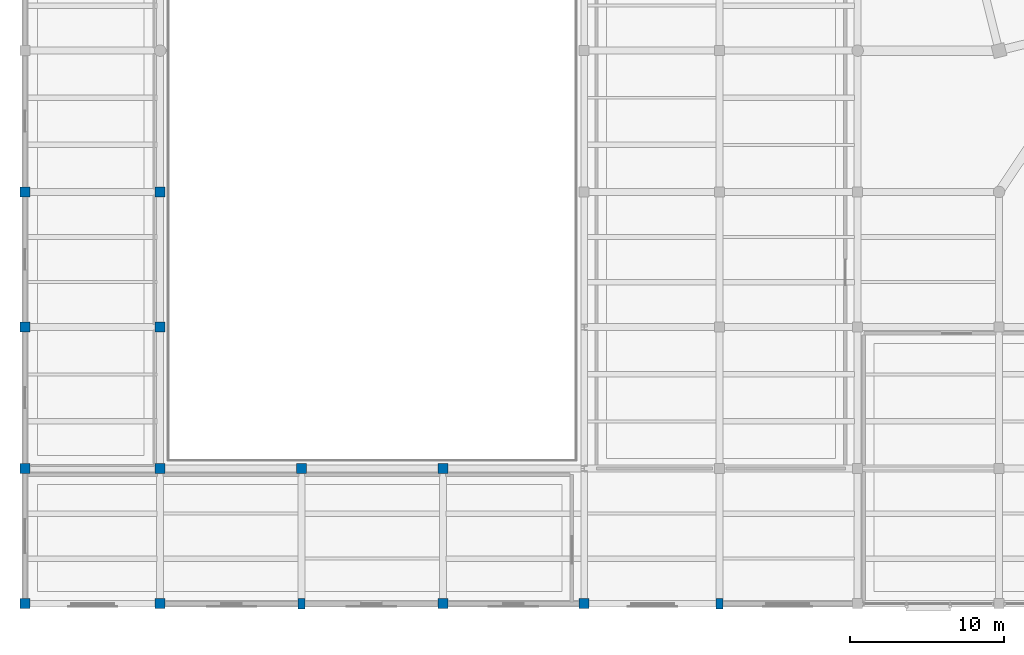
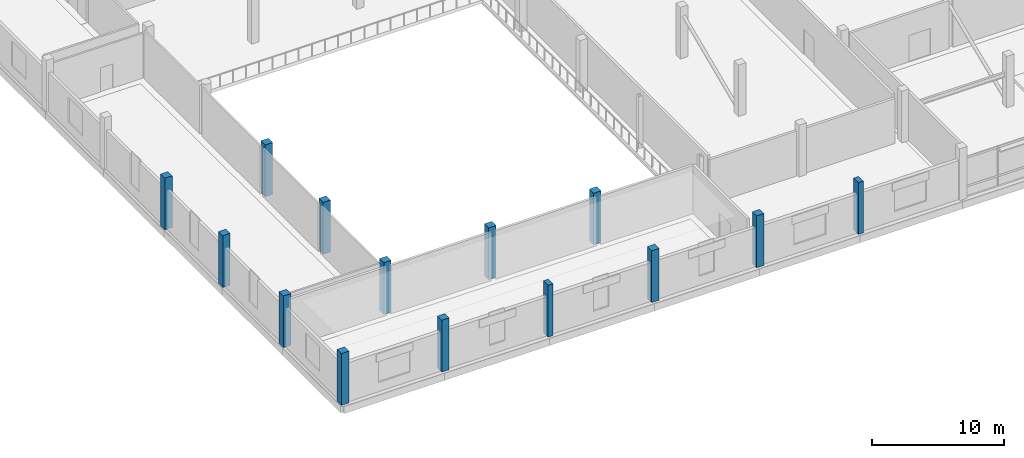
# One storey, part 1 of 71: 14 columns.
"""IFC4 building model written with IfcOpenShell, lengths in metres."""

from ifc_helpers import new_model, si_unit, direction, frame, origin, origin_2d, place, context, subcontext, project, spatial, rectangle, extrude, material, material_profile, profile_set, type_object, element, save


model = new_model("IFC4")

# Units and contexts
model_context = context("Model", 3, precision=1e-05, world=origin(), true_north=direction((0.0, 1.0)))
body_context = subcontext(model_context, "Body", "Model", "MODEL_VIEW")
ifc_project = project(units=[si_unit("LENGTHUNIT", "METRE"), si_unit("AREAUNIT", "SQUARE_METRE"), si_unit("VOLUMEUNIT", "CUBIC_METRE"), si_unit("PLANEANGLEUNIT", "RADIAN"), si_unit("MASSUNIT", "GRAM", prefix="KILO")], contexts=[model_context])

# Site, building, storey
site_placement = place(None, origin())
site = spatial("IfcSite", under=ifc_project, at=site_placement, CompositionType="ELEMENT")
building_placement = place(site_placement, origin())
building = spatial("IfcBuilding", under=site, at=building_placement, Name="Meriwether Solvik Hall", CompositionType="ELEMENT")
storey_placement = place(building_placement, frame((0.0, 0.0, 5.10009765625)))
storey = spatial("IfcBuildingStorey", under=building, at=storey_placement, Name="L01", CompositionType="ELEMENT", Elevation=5.10009765625)

# Columns
ifc_material_1 = material(Name="Concrete C40/50", Category="concrete")
ifc_material_profile_1 = material_profile(ifc_material_1, rectangle(XDim=0.64990234375, YDim=0.64990234375, at=origin_2d()), Name="RCC-650X650")
ifc_profile_set_1 = profile_set([ifc_material_profile_1], Name="Concrete C40/50")
column_type_1 = type_object("IfcColumnType", Name="COL-RC-650", PredefinedType="COLUMN", material=ifc_profile_set_1)
for number, where, z_axis, x_axis, name in (
    (1, (5.199951171875, 5.199951171875, 0.0), (0.0, 0.0, 1.0), (1.0, 0.0, 0.0), "Podium Column 1/A (L01)"),
    (2, (5.199951171875, 14.0, 0.0), (0.0, 0.0, 1.0), (1.0, 0.0, 0.0), "Podium Column 1/B (L01)"),
    (3, (5.199951171875, 23.199951171875, 0.0), (0.0, 0.0, 1.0), (1.0, 0.0, 0.0), "Podium Column 1/C (L01)"),
    (4, (5.199951171875, 32.0, 0.0), (0.0, 0.0, 1.0), (1.0, 0.0, 0.0), "Podium Column 1/D (L01)"),
    (5, (14.0, 5.199951171875, 0.0), (0.0, 0.0, 1.0), (1.0, 0.0, 0.0), "Podium Column 2/A (L01)"),
    (6, (14.0, 14.0, 0.0), (0.0, 0.0, 1.0), (1.0, 0.0, 0.0), "Podium Column 2/B (L01)"),
    (7, (14.0, 23.199951171875, 0.0), (0.0, 0.0, 1.0), (1.0, 0.0, 0.0), "Podium Column 2/C (L01)"),
    (8, (14.0, 32.0, 0.0), (0.0, 0.0, 1.0), (1.0, 0.0, 0.0), "Podium Column 2/D (L01)"),
    (9, (23.199951171875, 14.0, 0.0), (0.0, 0.0, 1.0), (1.0, 0.0, 0.0), "Podium Column 3/B (L01)"),
    (10, (32.39990234375, 5.199951171875, 0.0), (0.0, 0.0, 1.0), (1.0, 0.0, 0.0), "Podium Column 4/A (L01)"),
    (11, (32.39990234375, 14.0, 0.0), (0.0, 0.0, 1.0), (1.0, 0.0, 0.0), "Podium Column 4/B (L01)"),
    (12, (41.60009765625, 5.199951171875, 0.0), (0.0, 0.0, 1.0), (1.0, 0.0, 0.0), "Podium Column 5/A (L01)"),
):
    element("IfcColumn", number, at=place(storey_placement, frame(where, z_axis=z_axis, x_axis=x_axis)), inside=storey, type_object=column_type_1, Name=name, PredefinedType="COLUMN", context=body_context, shape_type="SweptSolid", body=[
        extrude(rectangle(XDim=0.64990234375, YDim=0.64990234375, at=origin_2d()), origin(), (0.0, 0.0, 1.0), 4.7998046875),
    ])
ifc_material_2 = material(Name="Concrete C40/50", Category="concrete")
ifc_material_profile_2 = material_profile(ifc_material_2, rectangle(XDim=0.449951171875, YDim=0.699951171875, at=origin_2d()), Name="RCP-450X700")
ifc_profile_set_2 = profile_set([ifc_material_profile_2], Name="Concrete C40/50")
column_type_2 = type_object("IfcColumnType", Name="PIL-RC-450X700", PredefinedType="PILASTER", material=ifc_profile_set_2)
for number, where, z_axis, x_axis, name in (
    (13, (23.199951171875, 5.199951171875, 0.0), (0.0, 0.0, 1.0), (1.0, 0.0, 0.0), "Podium Column 3/A (L01)"),
    (14, (50.39990234375, 5.199951171875, 0.0), (0.0, 0.0, 1.0), (1.0, 0.0, 0.0), "Podium Column 6/A (L01)"),
):
    element("IfcColumn", number, at=place(storey_placement, frame(where, z_axis=z_axis, x_axis=x_axis)), inside=storey, type_object=column_type_2, Name=name, PredefinedType="PILASTER", context=body_context, shape_type="SweptSolid", body=[
        extrude(rectangle(XDim=0.449951171875, YDim=0.699951171875, at=origin_2d()), origin(), (0.0, 0.0, 1.0), 4.7998046875),
    ])

save(model, "model.ifc")
